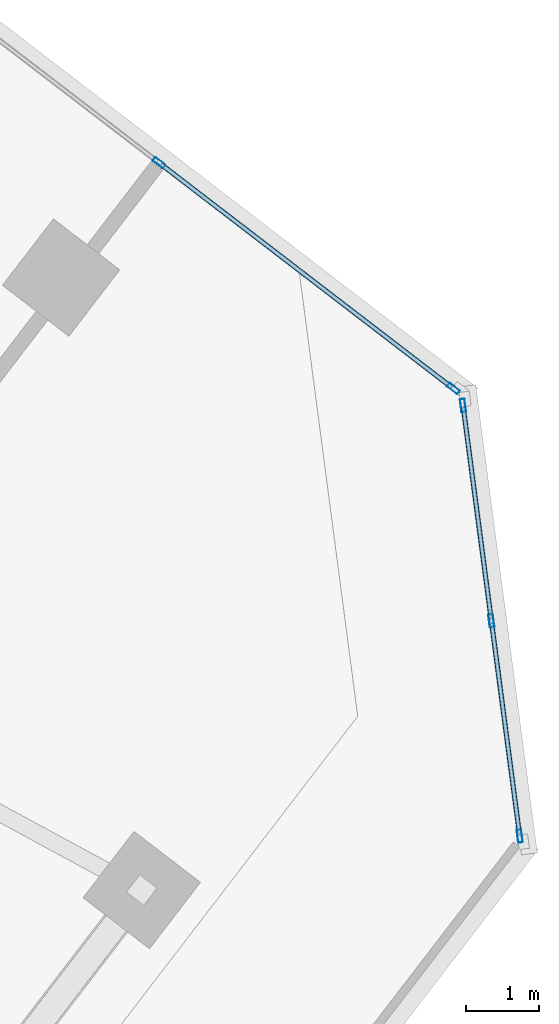
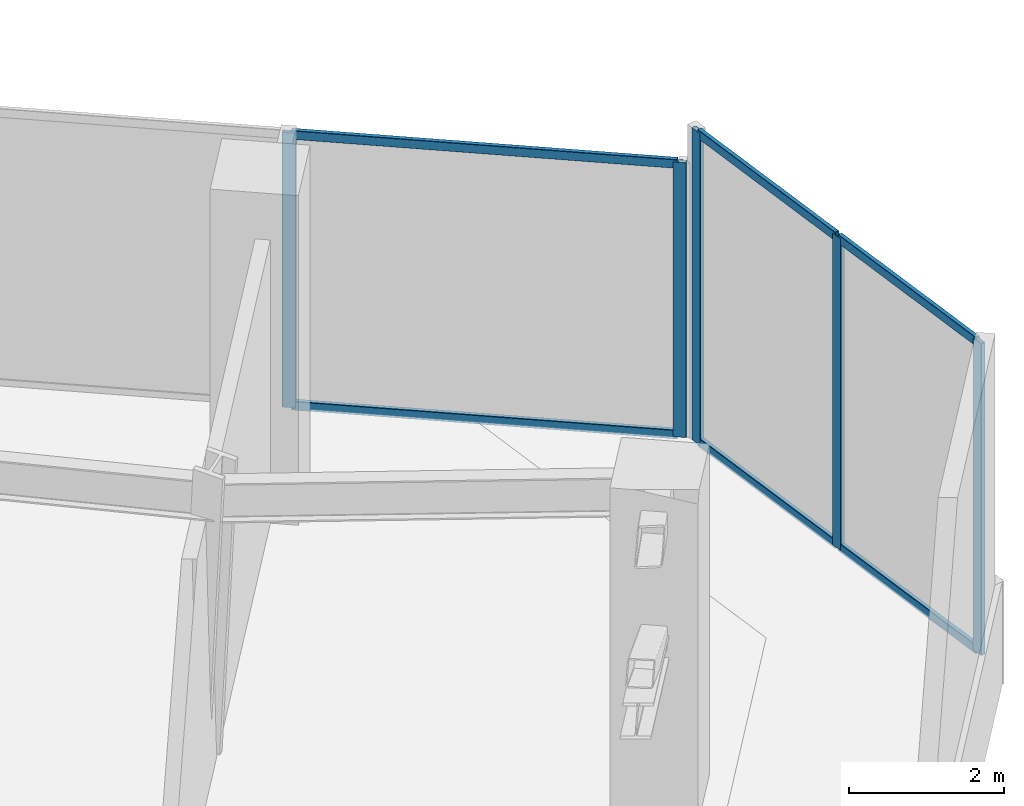
# One storey, part 10 of 22: 11 members, 2 elements without a shape of their own.
"""IFC4 building model written with IfcOpenShell, lengths in metres."""

import ifcopenshell
import ifcopenshell.guid

model = None  # the IFC model being written
_history = None  # IfcOwnerHistory: only IFC2X3 demands one
_inside = {}  # id of a spatial element -> (the spatial element, [elements in it])
_under = {}  # id of a project, library or spatial element -> (it, [spatial elements below it])
_declared = {}  # id of a project -> (the project, [libraries it declares])
_typed = {}  # id of a type object -> (the type object, [elements of that type])
_made_of = {}  # id of a material, layer set ... -> (it, [elements and type objects made of it])


def new_model(schema):
    """Start an empty IFC model of exactly this schema.

    Asked for "IFC4X3", IfcOpenShell would pick the latest addendum, in which some entities
    have other attributes; the version numbers below select the first issue.
    IFC2X3 requires an IfcOwnerHistory on every rooted entity: one is made here for all.
    """
    global model, _history
    if schema == "IFC4X3":
        model = ifcopenshell.file(schema_version=(4, 3, 0, 0))
    else:
        model = ifcopenshell.file(schema=schema)
    _inside.clear()
    _under.clear()
    _declared.clear()
    _typed.clear()
    _made_of.clear()
    _history = None
    if model.schema == "IFC2X3":
        org = make("IfcOrganization", Name="unknown")
        user = make(
            "IfcPersonAndOrganization",
            ThePerson=make("IfcPerson", FamilyName="unknown"),
            TheOrganization=org,
        )
        app = make(
            "IfcApplication",
            ApplicationDeveloper=org,
            Version="unknown",
            ApplicationFullName="unknown",
            ApplicationIdentifier="unknown",
        )
        _history = make(
            "IfcOwnerHistory",
            OwningUser=user,
            OwningApplication=app,
            ChangeAction="ADDED",
            CreationDate=0,
        )
    return model


def make(cls, **values):
    """One entity of the class cls with the attributes given. An attribute that is None is left unset."""
    return model.create_entity(
        cls, **{name: value for name, value in values.items() if value is not None}
    )


def rooted(cls, **values):
    """An entity with a GlobalId (a new one), such as an element, a storey or a relation."""
    return make(cls, GlobalId=ifcopenshell.guid.new(), OwnerHistory=_history, **values)


def si_unit(unit_type, name, prefix=None):
    """IfcSIUnit, for example si_unit("LENGTHUNIT", "METRE", prefix="MILLI")."""
    return make("IfcSIUnit", UnitType=unit_type, Prefix=prefix, Name=name)


def assignment(units):
    """IfcUnitAssignment: the units of a project."""
    return None if units is None else make("IfcUnitAssignment", Units=units)


def point(xyz):
    """IfcCartesianPoint."""
    return None if xyz is None else make("IfcCartesianPoint", Coordinates=xyz)


def direction(xyz):
    """IfcDirection."""
    return None if xyz is None else make("IfcDirection", DirectionRatios=xyz)


def frame(location, z_axis=None, x_axis=None):
    """IfcAxis2Placement3D, a coordinate frame: its origin and axes. An axis left out is left unset."""
    return make(
        "IfcAxis2Placement3D",
        Location=point(location),
        Axis=direction(z_axis),
        RefDirection=direction(x_axis),
    )


def frame_2d(location, x_axis=None):
    """IfcAxis2Placement2D, a coordinate frame in the plane: its origin and x axis."""
    return make(
        "IfcAxis2Placement2D", Location=point(location), RefDirection=direction(x_axis)
    )


def origin():
    """The frame at (0, 0, 0) with its axes left unset."""
    return frame((0.0, 0.0, 0.0))


def origin_2d():
    """The frame at (0, 0) in the plane with its x axis left unset."""
    return frame_2d((0.0, 0.0))


def place(relative_to, where):
    """IfcLocalPlacement: puts the frame where relative to a parent placement (None: the world)."""
    return make(
        "IfcLocalPlacement", PlacementRelTo=relative_to, RelativePlacement=where
    )


def context(
    kind, dimensions, precision=None, world=None, true_north=None, identifier=None
):
    """IfcGeometricRepresentationContext, for example the 3D "Model" context."""
    return make(
        "IfcGeometricRepresentationContext",
        ContextIdentifier=identifier,
        ContextType=kind,
        CoordinateSpaceDimension=dimensions,
        Precision=precision,
        WorldCoordinateSystem=world,
        TrueNorth=true_north,
    )


def subcontext(parent, identifier, kind, view, scale=None):
    """IfcGeometricRepresentationSubContext, for example "Body" below "Model"."""
    return make(
        "IfcGeometricRepresentationSubContext",
        ContextIdentifier=identifier,
        ContextType=kind,
        ParentContext=parent,
        TargetScale=scale,
        TargetView=view,
    )


def project(units=None, contexts=None):
    """IfcProject with its units and contexts."""
    return rooted(
        "IfcProject",
        Name="project",
        RepresentationContexts=contexts,
        UnitsInContext=assignment(units),
    )


def spatial(cls, under=None, at=None, **own):
    """A site, building, storey or space (cls), placed at a placement, below another one or the project."""
    s = rooted(cls, ObjectPlacement=at, **own)
    if under is not None:
        _under.setdefault(under.id(), (under, []))[1].append(s)
    return s


def profile(cls, at=None, kind="AREA", **sizes):
    """A parametric profile (cls). Its sizes go by their IFC names, for example OverallWidth=200.0."""
    return make(cls, ProfileType=kind, Position=at, **sizes)


def hollow_rectangle(**sizes):
    """IfcRectangleHollowProfileDef."""
    return profile("IfcRectangleHollowProfileDef", **sizes)


def extrude(swept, where, along, depth):
    """IfcExtrudedAreaSolid: the profile swept, set in the frame where, extruded along a direction by depth."""
    return make(
        "IfcExtrudedAreaSolid",
        SweptArea=swept,
        Position=where,
        ExtrudedDirection=direction(along),
        Depth=depth,
    )


def shape(context_of_items, identifier, shape_type, items):
    """IfcShapeRepresentation: the items that make up one representation, for example the "Body"."""
    return make(
        "IfcShapeRepresentation",
        ContextOfItems=context_of_items,
        RepresentationIdentifier=identifier,
        RepresentationType=shape_type,
        Items=items,
    )


def source(mapping_origin, context_of_items, identifier, shape_type, items):
    """IfcRepresentationMap: a shape defined once, which mapped items show again and again."""
    return make(
        "IfcRepresentationMap",
        MappingOrigin=mapping_origin,
        MappedRepresentation=shape(context_of_items, identifier, shape_type, items),
    )


def transform(
    local_origin,
    x_axis=None,
    y_axis=None,
    z_axis=None,
    scale=None,
    scale2=None,
    scale3=None,
    uniform=True,
):
    """IfcCartesianTransformationOperator3D, or its non-uniform kind. x_axis, y_axis, z_axis: its Axis1, 2, 3."""
    if uniform:
        return make(
            "IfcCartesianTransformationOperator3D",
            Axis1=direction(x_axis),
            Axis2=direction(y_axis),
            LocalOrigin=point(local_origin),
            Scale=scale,
            Axis3=direction(z_axis),
        )
    return make(
        "IfcCartesianTransformationOperator3DnonUniform",
        Axis1=direction(x_axis),
        Axis2=direction(y_axis),
        LocalOrigin=point(local_origin),
        Scale=scale,
        Axis3=direction(z_axis),
        Scale2=scale2,
        Scale3=scale3,
    )


def mapped(mapping_source, mapping_target):
    """IfcMappedItem: shows the shape of a source again, moved by a transform."""
    return make(
        "IfcMappedItem", MappingSource=mapping_source, MappingTarget=mapping_target
    )


def material(Name=None, Category=None):
    """IfcMaterial."""
    return make("IfcMaterial", Name=Name, Category=Category)


def material_profile(
    of_material, cross_section, Name=None, Category=None, Priority=None
):
    """IfcMaterialProfile: a cross section and its material."""
    return make(
        "IfcMaterialProfile",
        Name=Name,
        Material=of_material,
        Profile=cross_section,
        Priority=Priority,
        Category=Category,
    )


def profile_set(profiles, Name=None, composite=None):
    """IfcMaterialProfileSet."""
    return make(
        "IfcMaterialProfileSet",
        Name=Name,
        MaterialProfiles=profiles,
        CompositeProfile=composite,
    )


def made_of(thing, what):
    """Note that an element or type object is made of a material, layer set ...; save() writes the relation."""
    if what is not None:
        _made_of.setdefault(what.id(), (what, []))[1].append(thing)
    return thing


def type_object(cls, material=None, **own):
    """A type object (cls), such as IfcWallType, which elements share."""
    return made_of(rooted(cls, **own), material)


def element(
    cls,
    number,
    at=None,
    inside=None,
    cuts=None,
    type_object=None,
    material=None,
    context=None,
    identifier="Body",
    shape_type=None,
    held_by="IfcProductDefinitionShape",
    body=None,
    shapes=None,
    **own,
):
    """One element of the class cls, such as IfcWall. Its Tag is "e" and its number.

    at: its placement. inside: the storey or other place that contains it. cuts: it is an
    opening in that element (IfcRelVoidsElement). A single representation is given by context,
    identifier, shape_type and body (its items); several are given by shapes. held_by: the class
    of the entity that holds the representations. save() writes the other relations.
    """
    e = rooted(cls, Tag="e%d" % number, ObjectPlacement=at, **own)
    if body is not None:
        shapes = [shape(context, identifier, shape_type, body)]
    if shapes is not None:
        e.Representation = make(held_by, Representations=shapes)
    if inside is not None:
        _inside.setdefault(inside.id(), (inside, []))[1].append(e)
    if cuts is not None:
        rooted(
            "IfcRelVoidsElement", RelatingBuildingElement=cuts, RelatedOpeningElement=e
        )
    if type_object is not None:
        _typed.setdefault(type_object.id(), (type_object, []))[1].append(e)
    return made_of(e, material)


def aggregate(whole, parts):
    """IfcRelAggregates: a whole, such as a stair, and the parts it consists of."""
    return rooted("IfcRelAggregates", RelatingObject=whole, RelatedObjects=parts)


def save(model, path):
    """Write the relations noted so far, then the file.

    IfcRelAggregates (storeys below a building ...), IfcRelContainedInSpatialStructure (elements
    in a storey), IfcRelDefinesByType, IfcRelAssociatesMaterial and IfcRelDeclares: one each for
    every whole, place, type object, material and project.
    """
    for whole, parts in _under.values():
        aggregate(whole, parts)
    for where, things in _inside.values():
        rooted(
            "IfcRelContainedInSpatialStructure",
            RelatedElements=things,
            RelatingStructure=where,
        )
    for kind, things in _typed.values():
        rooted("IfcRelDefinesByType", RelatedObjects=things, RelatingType=kind)
    for what, things in _made_of.values():
        rooted("IfcRelAssociatesMaterial", RelatedObjects=things, RelatingMaterial=what)
    for by, libraries in _declared.values():
        rooted("IfcRelDeclares", RelatingContext=by, RelatedDefinitions=libraries)
    model.write(path)


model = new_model("IFC4")

# Units and contexts
model_context = context("Model", 3, precision=1e-05, world=origin(), true_north=direction((0.0, 1.0)))
body_context = subcontext(model_context, "Body", "Model", "MODEL_VIEW")
ifc_project = project(units=[si_unit("LENGTHUNIT", "METRE"), si_unit("AREAUNIT", "SQUARE_METRE"), si_unit("VOLUMEUNIT", "CUBIC_METRE"), si_unit("PLANEANGLEUNIT", "RADIAN"), si_unit("MASSUNIT", "GRAM", prefix="KILO")], contexts=[model_context])

# Site, building, storey
site_placement = place(None, origin())
site = spatial("IfcSite", under=ifc_project, at=site_placement, CompositionType="ELEMENT")
building_placement = place(site_placement, origin())
building = spatial("IfcBuilding", under=site, at=building_placement, Name="Torre Montelarca", CompositionType="ELEMENT")
storey_placement = place(building_placement, frame((0.0, 0.0, 209.800048828125)))
storey = spatial("IfcBuildingStorey", under=building, at=storey_placement, Name="L47", CompositionType="ELEMENT", Elevation=209.800048828125)

# Curtain wall, members
ifc_material_1 = material(Name="Insulated low-E laminated glass", Category="glass")
curtain_wall_type = type_object("IfcCurtainWallType", Name="CW-SYS-Z2", PredefinedType="USERDEFINED", material=ifc_material_1)
curtain_wall_1_placement = place(storey_placement, origin())
curtain_wall_1 = element("IfcCurtainWall", 1, at=curtain_wall_1_placement, inside=storey, type_object=curtain_wall_type, Name="L47 Curtain Wall Run CW-T3-L47-E07-B1", ObjectType="UNITISED GLAZING", PredefinedType="USERDEFINED")
ifc_material_2 = material(Name="Anodised aluminium AA 6063-T6", Category="aluminium")
ifc_material_profile_1 = material_profile(ifc_material_2, hollow_rectangle(XDim=0.06494140625, YDim=0.139892578125, WallThickness=0.00390625, InnerFilletRadius=0.00390625, OuterFilletRadius=0.008056640625, at=origin_2d()), Name="ALU65X140X4", Category="aluminium")
ifc_profile_set_1 = profile_set([ifc_material_profile_1], Name="Anodised aluminium AA 6063-T6")
member_type_1 = type_object("IfcMemberType", Name="CWT-ALU140", PredefinedType="USERDEFINED", material=ifc_profile_set_1)
shared_shape_1 = source(origin(), body_context, "Body", "SweptSolid", [
    extrude(hollow_rectangle(XDim=0.06494140625, YDim=0.139892578125, WallThickness=0.00390625, InnerFilletRadius=0.00390625, OuterFilletRadius=0.008056640625, at=origin_2d()), origin(), (0.0, 0.0, 1.0), 2.918701171875),
])
member_1_placement = place(storey_placement, frame((52.19189453125, 25.94580078125, 0.032470703125), z_axis=(-0.130486968547, 0.991450024479, 0.0), x_axis=(-0.991450024479, -0.130486968547, 0.0)))
member_1 = element("IfcMember", 2, at=member_1_placement, type_object=member_type_1, Name="CW transom 2.1", ObjectType="TRANSOM", PredefinedType="USERDEFINED", context=body_context, shape_type="MappedRepresentation", body=[
    mapped(shared_shape_1, transform((0.0, 0.0, 0.0), scale=1.0)),
])
member_2_placement = place(storey_placement, frame((52.19189453125, 25.94580078125, 4.887451171875), z_axis=(-0.130486968547, 0.991450024479, 0.0), x_axis=(-0.991450024479, -0.130486968547, 0.0)))
member_2 = element("IfcMember", 3, at=member_2_placement, type_object=member_type_1, Name="CW transom 2.2", ObjectType="TRANSOM", PredefinedType="USERDEFINED", context=body_context, shape_type="MappedRepresentation", body=[
    mapped(shared_shape_1, transform((0.0, 0.0, 0.0), scale=1.0)),
])
shared_shape_2 = source(origin(), body_context, "Body", "SweptSolid", [
    extrude(hollow_rectangle(XDim=0.06494140625, YDim=0.139892578125, WallThickness=0.00390625, InnerFilletRadius=0.00390625, OuterFilletRadius=0.008056640625, at=origin_2d()), origin(), (0.0, 0.0, 1.0), 2.91845703125),
])
member_3_placement = place(storey_placement, frame((52.581298828125, 22.98779296875, 0.032470703125), z_axis=(-0.130497790763, 0.991448600083, 0.0), x_axis=(-0.991448600083, -0.130497790763, 0.0)))
member_3 = element("IfcMember", 4, at=member_3_placement, type_object=member_type_1, Name="CW transom 1.1", ObjectType="TRANSOM", PredefinedType="USERDEFINED", context=body_context, shape_type="MappedRepresentation", body=[
    mapped(shared_shape_2, transform((0.0, 0.0, 0.0), scale=1.0)),
])
member_4_placement = place(storey_placement, frame((52.581298828125, 22.98779296875, 4.887451171875), z_axis=(-0.130497790763, 0.991448600083, 0.0), x_axis=(-0.991448600083, -0.130497790763, 0.0)))
member_4 = element("IfcMember", 5, at=member_4_placement, type_object=member_type_1, Name="CW transom 1.2", ObjectType="TRANSOM", PredefinedType="USERDEFINED", context=body_context, shape_type="MappedRepresentation", body=[
    mapped(shared_shape_2, transform((0.0, 0.0, 0.0), scale=1.0)),
])
ifc_material_profile_2 = material_profile(ifc_material_2, hollow_rectangle(XDim=0.06494140625, YDim=0.179931640625, WallThickness=0.00390625, InnerFilletRadius=0.00390625, OuterFilletRadius=0.008056640625, at=origin_2d()), Name="ALU65X180X4", Category="aluminium")
ifc_profile_set_2 = profile_set([ifc_material_profile_2], Name="Anodised aluminium AA 6063-T6")
member_type_2 = type_object("IfcMemberType", Name="CWM-ALU180", PredefinedType="MULLION", material=ifc_profile_set_2)
shared_shape_3 = source(origin(), body_context, "Body", "SweptSolid", [
    extrude(hollow_rectangle(XDim=0.06494140625, YDim=0.179931640625, WallThickness=0.00390625, InnerFilletRadius=0.00390625, OuterFilletRadius=0.008056640625, at=origin_2d()), origin(), (0.0, 0.0, 1.0), 4.919921875),
])
member_5_placement = place(storey_placement, frame((52.585693359375, 22.95556640625, 0.0), z_axis=(0.0, 0.0, 1.0), x_axis=(-0.991446450787, -0.130514118862, 0.0)))
member_5 = element("IfcMember", 6, at=member_5_placement, type_object=member_type_2, Name="CW mullion 1", PredefinedType="MULLION", context=body_context, shape_type="MappedRepresentation", body=[
    mapped(shared_shape_3, transform((0.0, 0.0, 0.0), scale=1.0)),
])
member_6_placement = place(storey_placement, frame((52.1962890625, 25.91357421875, 0.0), z_axis=(0.0, 0.0, 1.0), x_axis=(-0.991446450787, -0.130514118862, 0.0)))
member_6 = element("IfcMember", 7, at=member_6_placement, type_object=member_type_2, Name="CW mullion 2", PredefinedType="MULLION", context=body_context, shape_type="MappedRepresentation", body=[
    mapped(shared_shape_3, transform((0.0, 0.0, 0.0), scale=1.0)),
])
member_7_placement = place(storey_placement, frame((51.806884765625, 28.871826171875, 0.0), z_axis=(0.0, 0.0, 1.0), x_axis=(-0.991446450787, -0.130514118862, 0.0)))
member_7 = element("IfcMember", 8, at=member_7_placement, type_object=member_type_2, Name="CW mullion 3", PredefinedType="MULLION", context=body_context, shape_type="MappedRepresentation", body=[
    mapped(shared_shape_3, transform((0.0, 0.0, 0.0), scale=1.0)),
])
aggregate(curtain_wall_1, [member_5, member_6, member_7, member_3, member_4, member_1, member_2])

curtain_wall_2_placement = place(storey_placement, origin())
curtain_wall_2 = element("IfcCurtainWall", 9, at=curtain_wall_2_placement, inside=storey, type_object=curtain_wall_type, Name="L47 Curtain Wall Run CW-T3-L47-E08-B1", ObjectType="UNITISED GLAZING", PredefinedType="USERDEFINED")
shared_shape_4 = source(origin(), body_context, "Body", "SweptSolid", [
    extrude(hollow_rectangle(XDim=0.06494140625, YDim=0.139892578125, WallThickness=0.00390625, InnerFilletRadius=0.00390625, OuterFilletRadius=0.008056640625, at=origin_2d()), origin(), (0.0, 0.0, 1.0), 5.029541015625),
])
member_8_placement = place(storey_placement, frame((51.6474609375, 29.122802734375, 0.032470703125), z_axis=(-0.793357848278, 0.608755554041, 0.0), x_axis=(-0.608755554041, -0.793357848278, 0.0)))
member_8 = element("IfcMember", 10, at=member_8_placement, type_object=member_type_1, Name="CW transom 1.1", ObjectType="TRANSOM", PredefinedType="USERDEFINED", context=body_context, shape_type="MappedRepresentation", body=[
    mapped(shared_shape_4, transform((0.0, 0.0, 0.0), scale=1.0)),
])
member_9_placement = place(storey_placement, frame((51.6474609375, 29.122802734375, 4.302490234375), z_axis=(-0.793357848278, 0.608755554041, 0.0), x_axis=(-0.608755554041, -0.793357848278, 0.0)))
member_9 = element("IfcMember", 11, at=member_9_placement, type_object=member_type_1, Name="CW transom 1.2", ObjectType="TRANSOM", PredefinedType="USERDEFINED", context=body_context, shape_type="MappedRepresentation", body=[
    mapped(shared_shape_4, transform((0.0, 0.0, 0.0), scale=1.0)),
])
shared_shape_5 = source(origin(), body_context, "Body", "SweptSolid", [
    extrude(hollow_rectangle(XDim=0.06494140625, YDim=0.179931640625, WallThickness=0.00390625, InnerFilletRadius=0.00390625, OuterFilletRadius=0.008056640625, at=origin_2d()), origin(), (0.0, 0.0, 1.0), 4.3349609375),
])
member_10_placement = place(storey_placement, frame((51.67333984375, 29.10302734375, 0.0), z_axis=(0.0, 0.0, 1.0), x_axis=(-0.60875783745, -0.793356096178, 0.0)))
member_10 = element("IfcMember", 12, at=member_10_placement, type_object=member_type_2, Name="CW mullion 1", PredefinedType="MULLION", context=body_context, shape_type="MappedRepresentation", body=[
    mapped(shared_shape_5, transform((0.0, 0.0, 0.0), scale=1.0)),
])
member_11_placement = place(storey_placement, frame((47.631591796875, 32.204345703125, 0.0), z_axis=(0.0, 0.0, 1.0), x_axis=(-0.60875783745, -0.793356096178, 0.0)))
member_11 = element("IfcMember", 13, at=member_11_placement, type_object=member_type_2, Name="CW mullion 2", PredefinedType="MULLION", context=body_context, shape_type="MappedRepresentation", body=[
    mapped(shared_shape_5, transform((0.0, 0.0, 0.0), scale=1.0)),
])
aggregate(curtain_wall_2, [member_10, member_11, member_8, member_9])

save(model, "model.ifc")
